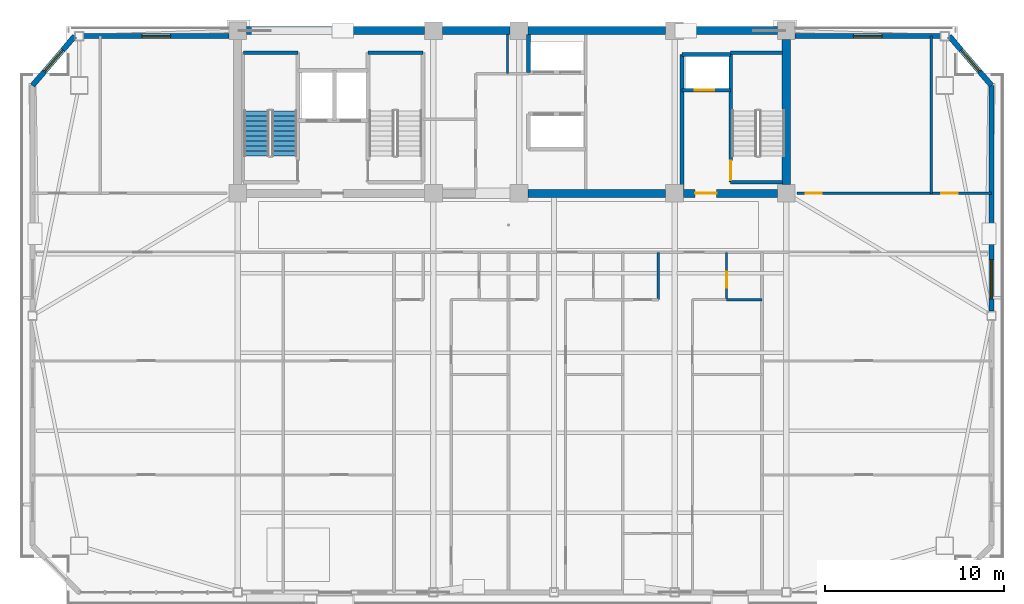
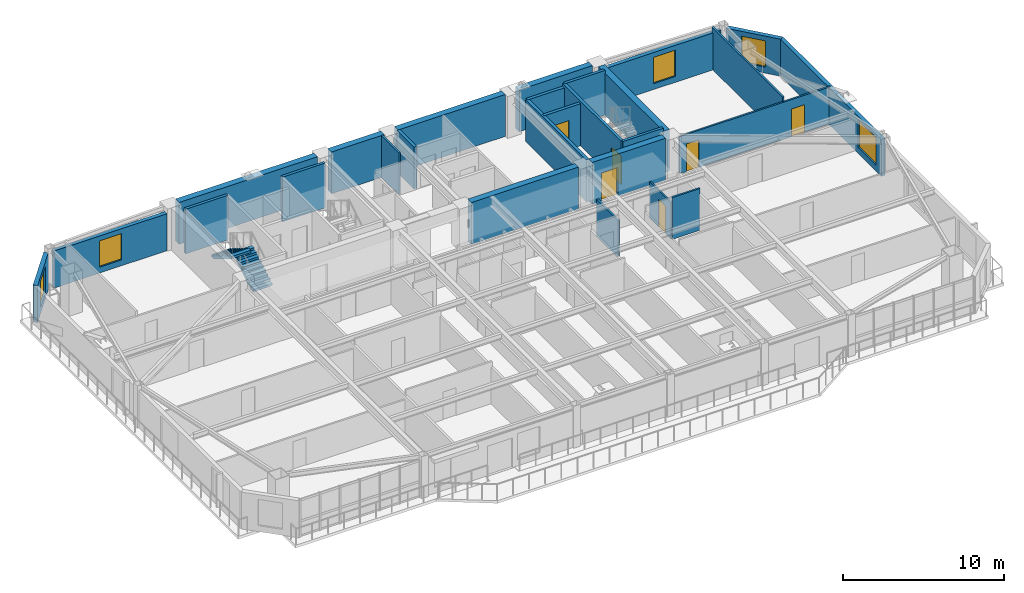
# One storey, part 11 of 17: 27 walls, 6 doors, 5 windows, 2 stair flights, 11 openings, 1 element without a shape of its own.
"""IFC4 building model written with IfcOpenShell, lengths in metres."""

from ifc_helpers import new_model, si_unit, direction, frame, frame_2d, origin, place, context, subcontext, project, spatial, polyline, rectangle, outline, extrude, source, transform, mapped, material, layer, layer_set, type_object, element, fill, aggregate, save


model = new_model("IFC4")

# Units and contexts
model_context = context("Model", 3, precision=1e-05, world=origin(), true_north=direction((0.0, 1.0)))
body_context = subcontext(model_context, "Body", "Model", "MODEL_VIEW")
ifc_project = project(units=[si_unit("LENGTHUNIT", "METRE"), si_unit("AREAUNIT", "SQUARE_METRE"), si_unit("VOLUMEUNIT", "CUBIC_METRE"), si_unit("PLANEANGLEUNIT", "RADIAN"), si_unit("MASSUNIT", "GRAM", prefix="KILO")], contexts=[model_context])

# Site, building, storey
site_placement = place(None, origin())
site = spatial("IfcSite", under=ifc_project, at=site_placement, CompositionType="ELEMENT")
building_placement = place(site_placement, origin())
building = spatial("IfcBuilding", under=site, at=building_placement, Name="Giltprow Tower", CompositionType="ELEMENT")
storey_placement = place(building_placement, frame((0.0, 0.0, 248.5)))
storey = spatial("IfcBuildingStorey", under=building, at=storey_placement, Name="L63", CompositionType="ELEMENT", Elevation=248.5)

# Wall, opening, window
ifc_material_1 = material(Name="Precast concrete C40", Category="concrete")
ifc_layer_1 = layer(ifc_material_1, 0.300048828125, Name="Precast concrete C40")
ifc_layer_set_1 = layer_set([ifc_layer_1], Name="Precast concrete C40")
wall_type_1 = type_object("IfcWallType", Name="EW-NOTCH-CHAMFER-300", PredefinedType="SOLIDWALL", material=ifc_layer_set_1)
wall_1_placement = place(storey_placement, frame((10.72900390625, 46.25, 0.0), z_axis=(0.0, 0.0, 1.0), x_axis=(-0.65001186438, -0.759924059472, 0.0)))
wall_1 = element("IfcWall", 1, at=wall_1_placement, inside=storey, type_object=wall_type_1, Name="L63 Corner Notch Wall NW", PredefinedType="SOLIDWALL", context=body_context, shape_type="SweptSolid", body=[
    extrude(rectangle(XDim=3.638427734375, YDim=0.300048828125, at=frame_2d((1.8193359375, 0.0))), origin(), (0.0, 0.0, 1.0), 2.81494140625),
])
opening_1_placement = place(wall_1_placement, frame((1.01904296875, 0.0, 0.449951171875)))
opening_1 = element("IfcOpeningElement", 2, at=opening_1_placement, cuts=wall_1, Name="Opening WN17", PredefinedType="OPENING", context=body_context, shape_type="SweptSolid", body=[
    extrude(rectangle(XDim=1.60009765625, YDim=2.0, at=frame_2d((0.800048828125, 1.0))), frame((0.0, 0.159912109375, 0.0), z_axis=(0.0, -1.0, 0.0), x_axis=(1.0, 0.0, 0.0)), (0.0, 0.0, 1.0), 0.320068359375),
])
ifc_material_2 = material(Name="Insulated glass", Category="glass")
window_type_1 = type_object("IfcWindowType", Name="WN-COR-1600x2000", PartitioningType="SINGLE_PANEL", PredefinedType="WINDOW", material=ifc_material_2)
shared_shape_1 = source(origin(), body_context, "Body", "SweptSolid", [
    extrude(rectangle(XDim=1.60009765625, YDim=2.0, at=frame_2d((0.800048828125, 1.0))), frame((0.0, 0.030029296875, 0.0), z_axis=(0.0, -1.0, 0.0), x_axis=(1.0, 0.0, 0.0)), (0.0, 0.0, 1.0), 0.06005859375),
])
window_1_placement = place(opening_1_placement, origin())
window_1 = element("IfcWindow", 3, at=window_1_placement, inside=storey, type_object=window_type_1, Name="L63 Corner Notch Window NW", OverallHeight=2.0, OverallWidth=1.60009765625, PartitioningType="SINGLE_PANEL", PredefinedType="WINDOW", context=body_context, shape_type="MappedRepresentation", body=[
    mapped(shared_shape_1, transform((0.0, 0.0, 0.0), x_axis=(1.0, 0.0, 0.0), y_axis=(0.0, 1.0, 0.0), z_axis=(0.0, 0.0, 1.0), scale=1.0)),
])
fill(opening_1, window_1)

wall_2_placement = place(storey_placement, frame((62.037109375, 43.485107421875, 0.0), z_axis=(0.0, 0.0, 1.0), x_axis=(-0.65001186438, 0.759924059472, 0.0)))
wall_2 = element("IfcWall", 4, at=wall_2_placement, inside=storey, type_object=wall_type_1, Name="L63 Corner Notch Wall NE", PredefinedType="SOLIDWALL", context=body_context, shape_type="SweptSolid", body=[
    extrude(rectangle(XDim=3.638427734375, YDim=0.300048828125, at=frame_2d((1.8193359375, 0.0))), origin(), (0.0, 0.0, 1.0), 2.81494140625),
])
opening_2_placement = place(wall_2_placement, frame((1.01904296875, 0.0, 0.449951171875)))
opening_2 = element("IfcOpeningElement", 5, at=opening_2_placement, cuts=wall_2, Name="Opening WN17", PredefinedType="OPENING", context=body_context, shape_type="SweptSolid", body=[
    extrude(rectangle(XDim=1.60009765625, YDim=2.0, at=frame_2d((0.800048828125, 1.0))), frame((0.0, 0.159912109375, 0.0), z_axis=(0.0, -1.0, 0.0), x_axis=(1.0, 0.0, 0.0)), (0.0, 0.0, 1.0), 0.320068359375),
])
window_2_placement = place(opening_2_placement, origin())
window_2 = element("IfcWindow", 6, at=window_2_placement, inside=storey, type_object=window_type_1, Name="L63 Corner Notch Window NE", OverallHeight=2.0, OverallWidth=1.60009765625, PartitioningType="SINGLE_PANEL", PredefinedType="WINDOW", context=body_context, shape_type="MappedRepresentation", body=[
    mapped(shared_shape_1, transform((0.0, 0.0, 0.0), x_axis=(1.0, 0.0, 0.0), y_axis=(0.0, 1.0, 0.0), z_axis=(0.0, 0.0, 1.0), scale=1.0)),
])
fill(opening_2, window_2)

ifc_layer_2 = layer(ifc_material_1, 0.280029296875, Name="Precast concrete C40")
ifc_layer_set_2 = layer_set([ifc_layer_2], Name="Precast concrete C40")
wall_type_2 = type_object("IfcWallType", Name="EW-TOW-BRONZE-280", PredefinedType="SOLIDWALL", material=ifc_layer_set_2)
wall_3_placement = place(storey_placement, frame((62.037109375, 30.85693359375, 0.0), z_axis=(0.0, 0.0, 1.0), x_axis=(0.0, 1.0, 0.0)))
wall_3 = element("IfcWall", 7, at=wall_3_placement, inside=storey, type_object=wall_type_2, Name="L63 E Wing Masonry Wall 2", PredefinedType="SOLIDWALL", context=body_context, shape_type="SweptSolid", body=[
    extrude(rectangle(XDim=12.628173828125, YDim=0.280029296875, at=frame_2d((6.31396484375, 0.0))), origin(), (0.0, 0.0, 1.0), 2.81494140625),
])
opening_3_placement = place(wall_3_placement, frame((0.677978515625, 0.0, 0.449951171875)))
opening_3 = element("IfcOpeningElement", 8, at=opening_3_placement, cuts=wall_3, Name="Opening WN27", PredefinedType="OPENING", context=body_context, shape_type="SweptSolid", body=[
    extrude(rectangle(XDim=2.199951171875, YDim=2.10009765625, at=frame_2d((1.10009765625, 1.050048828125))), frame((0.0, 0.14990234375, 0.0), z_axis=(0.0, -1.0, 0.0), x_axis=(1.0, 0.0, 0.0)), (0.0, 0.0, 1.0), 0.300048828125),
])
window_type_2 = type_object("IfcWindowType", Name="WN-RES-2200x2100", PartitioningType="TRIPLE_PANEL_VERTICAL", PredefinedType="WINDOW", material=ifc_material_2)
shared_shape_2 = source(origin(), body_context, "Body", "SweptSolid", [
    extrude(rectangle(XDim=2.199951171875, YDim=2.10009765625, at=frame_2d((1.10009765625, 1.050048828125))), frame((0.0, 0.030029296875, 0.0), z_axis=(0.0, -1.0, 0.0), x_axis=(1.0, 0.0, 0.0)), (0.0, 0.0, 1.0), 0.06005859375),
])
window_3_placement = place(opening_3_placement, origin())
window_3 = element("IfcWindow", 9, at=window_3_placement, inside=storey, type_object=window_type_2, Name="L63 E Wing Window 2-1", OverallHeight=2.10009765625, OverallWidth=2.199951171875, PartitioningType="SINGLE_PANEL", PredefinedType="WINDOW", context=body_context, shape_type="MappedRepresentation", body=[
    mapped(shared_shape_2, transform((0.0, 0.0, 0.0), x_axis=(1.0, 0.0, 0.0), y_axis=(0.0, 1.0, 0.0), z_axis=(0.0, 0.0, 1.0), scale=1.0)),
])
fill(opening_3, window_3)

wall_4_placement = place(storey_placement, frame((11.22900390625, 46.25, 0.0), z_axis=(0.0, 0.0, 1.0), x_axis=(1.0, 0.0, 0.0)))
wall_4 = element("IfcWall", 10, at=wall_4_placement, inside=storey, type_object=wall_type_2, Name="L63 North-West Wing Wall", PredefinedType="SOLIDWALL", context=body_context, shape_type="SweptSolid", body=[
    extrude(rectangle(XDim=8.12109375, YDim=0.280029296875, at=frame_2d((4.060546875, 0.0))), origin(), (0.0, 0.0, 1.0), 2.81494140625),
])
opening_4_placement = place(wall_4_placement, frame((3.260986328125, 0.0, 0.449951171875)))
opening_4 = element("IfcOpeningElement", 11, at=opening_4_placement, cuts=wall_4, Name="Opening WN17", PredefinedType="OPENING", context=body_context, shape_type="SweptSolid", body=[
    extrude(rectangle(XDim=1.60009765625, YDim=2.0, at=frame_2d((0.800048828125, 1.0))), frame((0.0, 0.14990234375, 0.0), z_axis=(0.0, -1.0, 0.0), x_axis=(1.0, 0.0, 0.0)), (0.0, 0.0, 1.0), 0.300048828125),
])
window_4_placement = place(opening_4_placement, origin())
window_4 = element("IfcWindow", 12, at=window_4_placement, inside=storey, type_object=window_type_1, Name="L63 North-West Window", OverallHeight=2.0, OverallWidth=1.60009765625, PartitioningType="SINGLE_PANEL", PredefinedType="WINDOW", context=body_context, shape_type="MappedRepresentation", body=[
    mapped(shared_shape_1, transform((0.0, 0.0, 0.0), x_axis=(1.0, 0.0, 0.0), y_axis=(0.0, 1.0, 0.0), z_axis=(0.0, 0.0, 1.0), scale=1.0)),
])
fill(opening_4, window_4)

wall_5_placement = place(storey_placement, frame((51.050048828125, 46.25, 0.0), z_axis=(0.0, 0.0, 1.0), x_axis=(1.0, 0.0, 0.0)))
wall_5 = element("IfcWall", 13, at=wall_5_placement, inside=storey, type_object=wall_type_2, Name="L63 North-East Wing Wall", PredefinedType="SOLIDWALL", context=body_context, shape_type="SweptSolid", body=[
    extrude(rectangle(XDim=8.1220703125, YDim=0.280029296875, at=frame_2d((4.06103515625, 0.0))), origin(), (0.0, 0.0, 1.0), 2.81494140625),
])
opening_5_placement = place(wall_5_placement, frame((3.260986328125, 0.0, 0.449951171875)))
opening_5 = element("IfcOpeningElement", 14, at=opening_5_placement, cuts=wall_5, Name="Opening WN17", PredefinedType="OPENING", context=body_context, shape_type="SweptSolid", body=[
    extrude(rectangle(XDim=1.60009765625, YDim=2.0, at=frame_2d((0.800048828125, 1.0))), frame((0.0, 0.14990234375, 0.0), z_axis=(0.0, -1.0, 0.0), x_axis=(1.0, 0.0, 0.0)), (0.0, 0.0, 1.0), 0.300048828125),
])
window_5_placement = place(opening_5_placement, origin())
window_5 = element("IfcWindow", 15, at=window_5_placement, inside=storey, type_object=window_type_1, Name="L63 North-East Window", OverallHeight=2.0, OverallWidth=1.60009765625, PartitioningType="SINGLE_PANEL", PredefinedType="WINDOW", context=body_context, shape_type="MappedRepresentation", body=[
    mapped(shared_shape_1, transform((0.0, 0.0, 0.0), x_axis=(1.0, 0.0, 0.0), y_axis=(0.0, 1.0, 0.0), z_axis=(0.0, 0.0, 1.0), scale=1.0)),
])
fill(opening_5, window_5)

# Wall, opening, door
ifc_material_3 = material(Name="Concrete C40", Category="concrete")
ifc_layer_3 = layer(ifc_material_3, 0.219970703125, Name="Concrete C40")
ifc_layer_set_3 = layer_set([ifc_layer_3], Name="Concrete C40")
wall_type_3 = type_object("IfcWallType", Name="IW-SHAFT-220", PredefinedType="SOLIDWALL", material=ifc_layer_set_3)
wall_6_placement = place(storey_placement, frame((44.719970703125, 43.219970703125, 0.0), z_axis=(0.0, 0.0, 1.0), x_axis=(1.0, 0.0, 0.0)))
wall_6 = element("IfcWall", 16, at=wall_6_placement, inside=storey, type_object=wall_type_3, Name="L63 FFL2 Front Shaft Wall", PredefinedType="SOLIDWALL", context=body_context, shape_type="SweptSolid", body=[
    extrude(rectangle(XDim=2.719970703125, YDim=0.219970703125, at=frame_2d((1.35986328125, 0.0))), origin(), (0.0, 0.0, 1.0), 3.18505859375),
])
opening_6_placement = place(wall_6_placement, frame((0.699951171875, 0.0, 0.0)))
opening_6 = element("IfcOpeningElement", 17, at=opening_6_placement, cuts=wall_6, Name="Opening LD-11", PredefinedType="OPENING", context=body_context, shape_type="SweptSolid", body=[
    extrude(rectangle(XDim=1.10009765625, YDim=2.199951171875, at=frame_2d((0.550048828125, 1.10009765625))), frame((0.0, 0.119873046875, 0.0), z_axis=(0.0, -1.0, 0.0), x_axis=(1.0, 0.0, 0.0)), (0.0, 0.0, 1.0), 0.239990234375),
])
ifc_material_4 = material(Name="Stainless steel", Category="steel")
door_type_1 = type_object("IfcDoorType", Name="DR-LIFT-LD1100", OperationType="SLIDING_TO_LEFT", PredefinedType="DOOR", material=ifc_material_4)
shared_shape_3 = source(origin(), body_context, "Body", "SweptSolid", [
    extrude(rectangle(XDim=1.10009765625, YDim=2.199951171875, at=frame_2d((0.550048828125, 1.10009765625))), frame((0.0, 0.02490234375, 0.0), z_axis=(0.0, -1.0, 0.0), x_axis=(1.0, 0.0, 0.0)), (0.0, 0.0, 1.0), 0.050048828125),
])
door_1_placement = place(opening_6_placement, origin())
door_1 = element("IfcDoor", 18, at=door_1_placement, inside=storey, type_object=door_type_1, Name="L63 FFL2 Landing Door", OperationType="SLIDING_TO_LEFT", OverallHeight=2.199951171875, OverallWidth=1.10009765625, PredefinedType="DOOR", context=body_context, shape_type="MappedRepresentation", body=[
    mapped(shared_shape_3, transform((0.0, 0.0, 0.0), x_axis=(1.0, 0.0, 0.0), y_axis=(0.0, 1.0, 0.0), z_axis=(0.0, 0.0, 1.0), scale=1.0)),
])
fill(opening_6, door_1)

# Walls
wall_7_placement = place(storey_placement, frame((44.719970703125, 45.219970703125, 0.0), z_axis=(0.0, 0.0, 1.0), x_axis=(1.0, 0.0, 0.0)))
element("IfcWall", 19, at=wall_7_placement, inside=storey, type_object=wall_type_3, Name="L63 FFL2 Back Shaft Wall", PredefinedType="SOLIDWALL", context=body_context, shape_type="SweptSolid", body=[
    extrude(rectangle(XDim=2.719970703125, YDim=0.219970703125, at=frame_2d((1.35986328125, 0.0))), origin(), (0.0, 0.0, 1.0), 3.18505859375),
])
wall_8_placement = place(storey_placement, frame((44.719970703125, 37.655029296875, 0.0), z_axis=(0.0, 0.0, 1.0), x_axis=(0.0, 1.0, 0.0)))
element("IfcWall", 20, at=wall_8_placement, inside=storey, type_object=wall_type_3, Name="L63 East Firefighting Lobby West Wall", PredefinedType="SOLIDWALL", context=body_context, shape_type="SweptSolid", body=[
    extrude(rectangle(XDim=7.56494140625, YDim=0.219970703125, at=frame_2d((3.782470703125, 0.0))), origin(), (0.0, 0.0, 1.0), 3.18505859375),
])
wall_9_placement = place(storey_placement, frame((36.1201171875, 44.219970703125, 0.0), z_axis=(0.0, 0.0, 1.0), x_axis=(0.0, 1.0, 0.0)))
element("IfcWall", 21, at=wall_9_placement, inside=storey, type_object=wall_type_3, Name="L63 High-Rise North Lift West Closure", PredefinedType="SOLIDWALL", context=body_context, shape_type="SweptSolid", body=[
    extrude(rectangle(XDim=2.125, YDim=0.219970703125, at=frame_2d((1.0625, 0.0))), origin(), (0.0, 0.0, 1.0), 3.18505859375),
])
ifc_layer_4 = layer(ifc_material_3, 0.199951171875, Name="Concrete C40")
ifc_layer_set_4 = layer_set([ifc_layer_4], Name="Concrete C40")
wall_type_4 = type_object("IfcWallType", Name="IW-STAIR-200", PredefinedType="SOLIDWALL", material=ifc_layer_set_4)
wall_10_placement = place(storey_placement, frame((20.169921875, 45.320068359375, 0.0), z_axis=(0.0, 0.0, 1.0), x_axis=(1.0, 0.0, 0.0)))
element("IfcWall", 22, at=wall_10_placement, inside=storey, type_object=wall_type_4, Name="L63 Stair ST-1 North Bearing Wall", PredefinedType="SOLIDWALL", context=body_context, shape_type="SweptSolid", body=[
    extrude(rectangle(XDim=3.050048828125, YDim=0.199951171875, at=frame_2d((1.52490234375, 0.0))), origin(), (0.0, 0.0, 1.0), 3.39990234375),
])
wall_11_placement = place(storey_placement, frame((27.139892578125, 45.320068359375, 0.0), z_axis=(0.0, 0.0, 1.0), x_axis=(1.0, 0.0, 0.0)))
element("IfcWall", 23, at=wall_11_placement, inside=storey, type_object=wall_type_4, Name="L63 Stair ST-2 North Bearing Wall", PredefinedType="SOLIDWALL", context=body_context, shape_type="SweptSolid", body=[
    extrude(rectangle(XDim=3.080078125, YDim=0.199951171875, at=frame_2d((1.5400390625, 0.0))), origin(), (0.0, 0.0, 1.0), 3.39990234375),
])

# Wall, opening, door
wall_12_placement = place(storey_placement, frame((47.43994140625, 38.070068359375, 0.0), z_axis=(0.0, 0.0, 1.0), x_axis=(0.0, 1.0, 0.0)))
wall_12 = element("IfcWall", 24, at=wall_12_placement, inside=storey, type_object=wall_type_4, Name="L63 Stair ST-3 West Bearing Wall", PredefinedType="SOLIDWALL", context=body_context, shape_type="SweptSolid", body=[
    extrude(rectangle(XDim=7.25, YDim=0.199951171875, at=frame_2d((3.625, 0.0))), origin(), (0.0, 0.0, 1.0), 3.39990234375),
])
opening_7_placement = place(wall_12_placement, frame((0.110107421875, 0.0, 0.0)))
opening_7 = element("IfcOpeningElement", 25, at=opening_7_placement, cuts=wall_12, Name="Opening ID33", PredefinedType="OPENING", context=body_context, shape_type="SweptSolid", body=[
    extrude(rectangle(XDim=1.10009765625, YDim=2.14990234375, at=frame_2d((0.550048828125, 1.074951171875))), frame((0.0, 0.10986328125, 0.0), z_axis=(0.0, -1.0, 0.0), x_axis=(1.0, 0.0, 0.0)), (0.0, 0.0, 1.0), 0.219970703125),
])
ifc_material_5 = material(Name="Steel fire leaf", Category="steel")
door_type_2 = type_object("IfcDoorType", Name="DR-STAIR-1100", OperationType="SINGLE_SWING_LEFT", PredefinedType="DOOR", material=ifc_material_5)
shared_shape_4 = source(origin(), body_context, "Body", "SweptSolid", [
    extrude(rectangle(XDim=1.10009765625, YDim=2.14990234375, at=frame_2d((0.550048828125, 1.074951171875))), frame((0.0, 0.02490234375, 0.0), z_axis=(0.0, -1.0, 0.0), x_axis=(1.0, 0.0, 0.0)), (0.0, 0.0, 1.0), 0.050048828125),
])
door_2_placement = place(opening_7_placement, origin())
door_2 = element("IfcDoor", 26, at=door_2_placement, inside=storey, type_object=door_type_2, Name="L63 Stair ST-3 Fire Door", OperationType="SINGLE_SWING_LEFT", OverallHeight=2.14990234375, OverallWidth=1.10009765625, PredefinedType="DOOR", context=body_context, shape_type="MappedRepresentation", body=[
    mapped(shared_shape_4, transform((0.0, 0.0, 0.0), x_axis=(1.0, 0.0, 0.0), y_axis=(0.0, 1.0, 0.0), z_axis=(0.0, 0.0, 1.0), scale=1.0)),
])
fill(opening_7, door_2)

# Walls
for number, where, z_axis, x_axis, name in (
    (27, (47.43994140625, 45.320068359375, 0.0), (0.0, 0.0, 1.0), (1.0, 0.0, 0.0), "L63 Stair ST-3 North Bearing Wall"),
    (28, (47.43994140625, 38.070068359375, 0.0), (0.0, 0.0, 1.0), (1.0, 0.0, 0.0), "L63 Stair ST-3 South Bearing Wall"),
):
    element("IfcWall", number, at=place(storey_placement, frame(where, z_axis=z_axis, x_axis=x_axis)), inside=storey, type_object=wall_type_4, Name=name, PredefinedType="SOLIDWALL", context=body_context, shape_type="SweptSolid", body=[
        extrude(rectangle(XDim=2.905029296875, YDim=0.199951171875, at=frame_2d((1.45263671875, 0.0))), origin(), (0.0, 0.0, 1.0), 3.39990234375),
    ])
ifc_material_6 = material(Name="Concrete C30", Category="concrete")
ifc_layer_5 = layer(ifc_material_6, 0.1298828125, Name="Concrete C30")
ifc_layer_set_5 = layer_set([ifc_layer_5], Name="Concrete C30")
wall_type_5 = type_object("IfcWallType", Name="IW-WET-130", PredefinedType="PARTITIONING", material=ifc_layer_set_5)
wall_13_placement = place(storey_placement, frame((34.949951171875, 44.14990234375, 0.0), z_axis=(0.0, 0.0, 1.0), x_axis=(0.0, 1.0, 0.0)))
element("IfcWall", 29, at=wall_13_placement, inside=storey, type_object=wall_type_5, Name="L63 Reclaimed West Pocket Wall E", PredefinedType="PARTITIONING", context=body_context, shape_type="SweptSolid", body=[
    extrude(rectangle(XDim=2.195068359375, YDim=0.1298828125, at=frame_2d((1.09765625, 0.0))), origin(), (0.0, 0.0, 1.0), 3.18505859375),
])
wall_14_placement = place(storey_placement, frame((43.389892578125, 31.5, 0.0), z_axis=(0.0, 0.0, 1.0), x_axis=(0.0, 1.0, 0.0)))
element("IfcWall", 30, at=wall_14_placement, inside=storey, type_object=wall_type_5, Name="L63 Unit 3 Kitchen East Wall", PredefinedType="PARTITIONING", context=body_context, shape_type="SweptSolid", body=[
    extrude(rectangle(XDim=2.64990234375, YDim=0.1298828125, at=frame_2d((1.324951171875, 0.0))), origin(), (0.0, 0.0, 1.0), 2.77001953125),
])
wall_15_placement = place(storey_placement, frame((47.2099609375, 31.5, 0.0), z_axis=(0.0, 0.0, 1.0), x_axis=(1.0, 0.0, 0.0)))
element("IfcWall", 31, at=wall_15_placement, inside=storey, type_object=wall_type_5, Name="L63 Unit 3 Bathroom South Wall", PredefinedType="PARTITIONING", context=body_context, shape_type="SweptSolid", body=[
    extrude(rectangle(XDim=1.989990234375, YDim=0.1298828125, at=frame_2d((0.9951171875, 0.0))), origin(), (0.0, 0.0, 1.0), 3.18505859375),
])

# Wall, opening, door
wall_16_placement = place(storey_placement, frame((47.2099609375, 31.5, 0.0), z_axis=(0.0, 0.0, 1.0), x_axis=(0.0, 1.0, 0.0)))
wall_16 = element("IfcWall", 32, at=wall_16_placement, inside=storey, type_object=wall_type_5, Name="L63 Unit 3 Bathroom West Wall", PredefinedType="PARTITIONING", context=body_context, shape_type="SweptSolid", body=[
    extrude(rectangle(XDim=2.64990234375, YDim=0.1298828125, at=frame_2d((1.324951171875, 0.0))), origin(), (0.0, 0.0, 1.0), 2.77001953125),
])
opening_8_placement = place(wall_16_placement, frame((0.669921875, 0.0, 0.0)))
opening_8 = element("IfcOpeningElement", 33, at=opening_8_placement, cuts=wall_16, Name="Opening ID15", PredefinedType="OPENING", context=body_context, shape_type="SweptSolid", body=[
    extrude(rectangle(XDim=0.89990234375, YDim=2.10009765625, at=frame_2d((0.449951171875, 1.050048828125))), frame((0.0, 0.074951171875, 0.0), z_axis=(0.0, -1.0, 0.0), x_axis=(1.0, 0.0, 0.0)), (0.0, 0.0, 1.0), 0.14990234375),
])
ifc_material_7 = material(Name="Engineered timber", Category="wood")
door_type_3 = type_object("IfcDoorType", Name="DR-WC-900", OperationType="SINGLE_SWING_LEFT", PredefinedType="DOOR", material=ifc_material_7)
shared_shape_5 = source(origin(), body_context, "Body", "SweptSolid", [
    extrude(rectangle(XDim=0.89990234375, YDim=2.10009765625, at=frame_2d((0.449951171875, 1.050048828125))), frame((0.0, 0.02490234375, 0.0), z_axis=(0.0, -1.0, 0.0), x_axis=(1.0, 0.0, 0.0)), (0.0, 0.0, 1.0), 0.050048828125),
])
door_3_placement = place(opening_8_placement, origin())
door_3 = element("IfcDoor", 34, at=door_3_placement, inside=storey, type_object=door_type_3, Name="L63 Unit 3 Bathroom Door", OperationType="SINGLE_SWING_LEFT", OverallHeight=2.10009765625, OverallWidth=0.89990234375, PredefinedType="DOOR", context=body_context, shape_type="MappedRepresentation", body=[
    mapped(shared_shape_5, transform((0.0, 0.0, 0.0), x_axis=(1.0, 0.0, 0.0), y_axis=(0.0, 1.0, 0.0), z_axis=(0.0, 0.0, 1.0), scale=1.0)),
])
fill(opening_8, door_3)

# Wall, openings, doors
wall_17_placement = place(storey_placement, frame((51.14990234375, 37.449951171875, 0.0), z_axis=(0.0, 0.0, 1.0), x_axis=(1.0, 0.0, 0.0)))
wall_17 = element("IfcWall", 35, at=wall_17_placement, inside=storey, type_object=wall_type_5, Name="L63 NE Wing South Wall", PredefinedType="PARTITIONING", context=body_context, shape_type="SweptSolid", body=[
    extrude(rectangle(XDim=10.88720703125, YDim=0.1298828125, at=frame_2d((5.443603515625, 0.0))), origin(), (0.0, 0.0, 1.0), 2.820068359375),
])
opening_9_placement = place(wall_17_placement, frame((0.5, 0.0, 0.0)))
opening_9 = element("IfcOpeningElement", 36, at=opening_9_placement, cuts=wall_17, Name="Opening ID15", PredefinedType="OPENING", context=body_context, shape_type="SweptSolid", body=[
    extrude(rectangle(XDim=0.89990234375, YDim=2.10009765625, at=frame_2d((0.449951171875, 1.050048828125))), frame((0.0, 0.074951171875, 0.0), z_axis=(0.0, -1.0, 0.0), x_axis=(1.0, 0.0, 0.0)), (0.0, 0.0, 1.0), 0.14990234375),
])
opening_10_placement = place(wall_17_placement, frame((8.06103515625, 0.0, 0.0)))
opening_10 = element("IfcOpeningElement", 37, at=opening_10_placement, cuts=wall_17, Name="Opening ID11", PredefinedType="OPENING", context=body_context, shape_type="SweptSolid", body=[
    extrude(rectangle(XDim=0.949951171875, YDim=2.10009765625, at=frame_2d((0.47509765625, 1.050048828125))), frame((0.0, 0.074951171875, 0.0), z_axis=(0.0, -1.0, 0.0), x_axis=(1.0, 0.0, 0.0)), (0.0, 0.0, 1.0), 0.14990234375),
])
door_4_placement = place(opening_9_placement, origin())
door_4 = element("IfcDoor", 38, at=door_4_placement, inside=storey, type_object=door_type_3, Name="L63 East Wing Washroom Door", OperationType="SINGLE_SWING_RIGHT", OverallHeight=2.10009765625, OverallWidth=0.89990234375, PredefinedType="DOOR", context=body_context, shape_type="MappedRepresentation", body=[
    mapped(shared_shape_5, transform((0.0, 0.0, 0.0), x_axis=(1.0, 0.0, 0.0), y_axis=(0.0, 1.0, 0.0), z_axis=(0.0, 0.0, 1.0), scale=1.0)),
])
fill(opening_9, door_4)
door_type_4 = type_object("IfcDoorType", Name="DR-ROOM-950", OperationType="SINGLE_SWING_RIGHT", PredefinedType="DOOR", material=ifc_material_7)
shared_shape_6 = source(origin(), body_context, "Body", "SweptSolid", [
    extrude(rectangle(XDim=0.949951171875, YDim=2.10009765625, at=frame_2d((0.47509765625, 1.050048828125))), frame((0.0, 0.02490234375, 0.0), z_axis=(0.0, -1.0, 0.0), x_axis=(1.0, 0.0, 0.0)), (0.0, 0.0, 1.0), 0.050048828125),
])
door_5_placement = place(opening_10_placement, origin())
door_5 = element("IfcDoor", 39, at=door_5_placement, inside=storey, type_object=door_type_4, Name="L63 Residents Reading Lounge Door", OperationType="SINGLE_SWING_LEFT", OverallHeight=2.10009765625, OverallWidth=0.949951171875, PredefinedType="DOOR", context=body_context, shape_type="MappedRepresentation", body=[
    mapped(shared_shape_6, transform((0.0, 0.0, 0.0), x_axis=(1.0, 0.0, 0.0), y_axis=(0.0, 1.0, 0.0), z_axis=(0.0, 0.0, 1.0), scale=1.0)),
])
fill(opening_10, door_5)

# Walls
wall_18_placement = place(storey_placement, frame((58.660888671875, 37.449951171875, 0.0), z_axis=(0.0, 0.0, 1.0), x_axis=(0.0, 1.0, 0.0)))
element("IfcWall", 40, at=wall_18_placement, inside=storey, type_object=wall_type_5, Name="L63 NE Wing Divider", PredefinedType="PARTITIONING", context=body_context, shape_type="SweptSolid", body=[
    extrude(rectangle(XDim=8.800048828125, YDim=0.1298828125, at=frame_2d((4.39990234375, 0.0))), origin(), (0.0, 0.0, 1.0), 3.18505859375),
])
ifc_material_8 = material(Name="Concrete C50", Category="concrete")
ifc_layer_6 = layer(ifc_material_8, 0.449951171875, Name="Concrete C50")
ifc_layer_set_6 = layer_set([ifc_layer_6], Name="Concrete C50")
wall_type_6 = type_object("IfcWallType", Name="SW-EXT-450-C50", PredefinedType="SHEAR", material=ifc_layer_set_6)
wall_19_placement = place(storey_placement, frame((20.35009765625, 46.550048828125, 0.0), z_axis=(0.0, 0.0, 1.0), x_axis=(1.0, 0.0, 0.0)))
element("IfcWall", 41, at=wall_19_placement, inside=storey, type_object=wall_type_6, Name="L63 North Rear Core Shear Wall 1", PredefinedType="SHEAR", context=body_context, shape_type="SweptSolid", body=[
    extrude(rectangle(XDim=9.949951171875, YDim=0.449951171875, at=frame_2d((4.97509765625, 0.0))), origin(), (0.0, 0.0, 1.0), 3.18505859375),
])
wall_20_placement = place(storey_placement, frame((31.300048828125, 46.550048828125, 0.0), z_axis=(0.0, 0.0, 1.0), x_axis=(1.0, 0.0, 0.0)))
element("IfcWall", 42, at=wall_20_placement, inside=storey, type_object=wall_type_6, Name="L63 North Rear Core Shear Wall 2", PredefinedType="SHEAR", context=body_context, shape_type="SweptSolid", body=[
    extrude(rectangle(XDim=3.800048828125, YDim=0.449951171875, at=frame_2d((1.89990234375, 0.0))), origin(), (0.0, 0.0, 1.0), 3.18505859375),
])
wall_21_placement = place(storey_placement, frame((36.10009765625, 46.550048828125, 0.0), z_axis=(0.0, 0.0, 1.0), x_axis=(1.0, 0.0, 0.0)))
element("IfcWall", 43, at=wall_21_placement, inside=storey, type_object=wall_type_6, Name="L63 North Rear Core Shear Wall 3", PredefinedType="SHEAR", context=body_context, shape_type="SweptSolid", body=[
    extrude(rectangle(XDim=7.699951171875, YDim=0.449951171875, at=frame_2d((3.85009765625, 0.0))), origin(), (0.0, 0.0, 1.0), 3.18505859375),
])
wall_22_placement = place(storey_placement, frame((44.800048828125, 46.550048828125, 0.0), z_axis=(0.0, 0.0, 1.0), x_axis=(1.0, 0.0, 0.0)))
element("IfcWall", 44, at=wall_22_placement, inside=storey, type_object=wall_type_6, Name="L63 North Rear Core Shear Wall 4", PredefinedType="SHEAR", context=body_context, shape_type="SweptSolid", body=[
    extrude(rectangle(XDim=5.25, YDim=0.449951171875, at=frame_2d((2.625, 0.0))), origin(), (0.0, 0.0, 1.0), 3.18505859375),
])
ifc_layer_7 = layer(ifc_material_8, 0.449951171875, Name="Concrete C50")
ifc_layer_set_7 = layer_set([ifc_layer_7], Name="Concrete C50")
wall_type_7 = type_object("IfcWallType", Name="SW-INT-450-C50", PredefinedType="SHEAR", material=ifc_layer_set_7)
wall_23_placement = place(storey_placement, frame((36.10009765625, 37.449951171875, 0.0), z_axis=(0.0, 0.0, 1.0), x_axis=(1.0, 0.0, 0.0)))
element("IfcWall", 45, at=wall_23_placement, inside=storey, type_object=wall_type_7, Name="L63 South Rear Core Shear Wall Mid-East", PredefinedType="SHEAR", context=body_context, shape_type="SweptSolid", body=[
    extrude(rectangle(XDim=7.699951171875, YDim=0.449951171875, at=frame_2d((3.85009765625, 0.0))), origin(), (0.0, 0.0, 1.0), 3.18505859375),
])

# Wall, opening, door
wall_24_placement = place(storey_placement, frame((44.800048828125, 37.449951171875, 0.0), z_axis=(0.0, 0.0, 1.0), x_axis=(1.0, 0.0, 0.0)))
wall_24 = element("IfcWall", 46, at=wall_24_placement, inside=storey, type_object=wall_type_7, Name="L63 South Rear Core Shear Wall East", PredefinedType="SHEAR", context=body_context, shape_type="SweptSolid", body=[
    extrude(rectangle(XDim=5.25, YDim=0.449951171875, at=frame_2d((2.625, 0.0))), origin(), (0.0, 0.0, 1.0), 3.18505859375),
])
opening_11_placement = place(wall_24_placement, frame((0.64990234375, 0.0, 0.0)))
opening_11 = element("IfcOpeningElement", 47, at=opening_11_placement, cuts=wall_24, Name="Opening ID19", PredefinedType="OPENING", context=body_context, shape_type="SweptSolid", body=[
    extrude(rectangle(XDim=1.199951171875, YDim=2.14990234375, at=frame_2d((0.60009765625, 1.074951171875))), frame((0.0, 0.23486328125, 0.0), z_axis=(0.0, -1.0, 0.0), x_axis=(1.0, 0.0, 0.0)), (0.0, 0.0, 1.0), 0.469970703125),
])
door_type_5 = type_object("IfcDoorType", Name="DR-FFLOBBY-1200", OperationType="SINGLE_SWING_RIGHT", PredefinedType="DOOR", material=ifc_material_5)
shared_shape_7 = source(origin(), body_context, "Body", "SweptSolid", [
    extrude(rectangle(XDim=1.199951171875, YDim=2.14990234375, at=frame_2d((0.60009765625, 1.074951171875))), frame((0.0, 0.02490234375, 0.0), z_axis=(0.0, -1.0, 0.0), x_axis=(1.0, 0.0, 0.0)), (0.0, 0.0, 1.0), 0.050048828125),
])
door_6_placement = place(opening_11_placement, origin())
door_6 = element("IfcDoor", 48, at=door_6_placement, inside=storey, type_object=door_type_5, Name="L63 East Firefighting Lobby Entry Door", OperationType="SINGLE_SWING_RIGHT", OverallHeight=2.14990234375, OverallWidth=1.199951171875, PredefinedType="DOOR", context=body_context, shape_type="MappedRepresentation", body=[
    mapped(shared_shape_7, transform((0.0, 0.0, 0.0), x_axis=(1.0, 0.0, 0.0), y_axis=(0.0, 1.0, 0.0), z_axis=(0.0, 0.0, 1.0), scale=1.0)),
])
fill(opening_11, door_6)

# Wall
wall_25_placement = place(storey_placement, frame((50.550048828125, 37.949951171875, 0.0), z_axis=(0.0, 0.0, 1.0), x_axis=(0.0, 1.0, 0.0)))
element("IfcWall", 49, at=wall_25_placement, inside=storey, type_object=wall_type_7, Name="L63 E Rear Core Shear Wall", PredefinedType="SHEAR", context=body_context, shape_type="SweptSolid", body=[
    extrude(rectangle(XDim=8.10009765625, YDim=0.449951171875, at=frame_2d((4.050048828125, 0.0))), origin(), (0.0, 0.0, 1.0), 3.18505859375),
])

# Stair, stair flights
stair_type = type_object("IfcStairType", Name="STR-ST-1", PredefinedType="HALF_TURN_STAIR", material=ifc_material_3)
stair_placement = place(storey_placement, origin())
stair = element("IfcStair", 50, at=stair_placement, inside=storey, type_object=stair_type, Name="L63 Core Exit Stair ST-1", PredefinedType="HALF_TURN_STAIR")
stair_flight_type = type_object("IfcStairFlightType", Name="SFL-ST-1", PredefinedType="STRAIGHT", material=ifc_material_3)
stair_flight_1_placement = place(storey_placement, frame((22.4599609375, 39.550048828125, 0.0), z_axis=(0.0, 0.0, 1.0), x_axis=(0.0, 1.0, 0.0)))
stair_flight_1 = element("IfcStairFlight", 51, at=stair_flight_1_placement, type_object=stair_flight_type, Name="ST-1 flight 1", NumberOfRisers=10, NumberOfTreads=9, PredefinedType="STRAIGHT", RiserHeight=0.17, TreadLength=0.28, context=body_context, shape_type="SweptSolid", body=[
    extrude(outline(polyline([(0.0, 0.0), (0.0, 0.169921875), (0.280029296875, 0.169921875), (0.280029296875, 0.340087890625), (0.56005859375, 0.340087890625), (0.56005859375, 0.510009765625), (0.840087890625, 0.510009765625), (0.840087890625, 0.679931640625), (1.1201171875, 0.679931640625), (1.1201171875, 0.85009765625), (1.39990234375, 0.85009765625), (1.39990234375, 1.02001953125), (1.679931640625, 1.02001953125), (1.679931640625, 1.18994140625), (1.9599609375, 1.18994140625), (1.9599609375, 1.360107421875), (2.239990234375, 1.360107421875), (2.239990234375, 1.530029296875), (2.52001953125, 1.530029296875), (2.52001953125, 1.699951171875), (2.52001953125, 1.354736328125), (0.288818359375, 0.0), (0.0, 0.0)])), frame((0.0, 0.699951171875, 0.0), z_axis=(0.0, -1.0, 0.0), x_axis=(1.0, 0.0, 0.0)), (0.0, 0.0, 1.0), 1.39990234375),
])
stair_flight_2_placement = place(storey_placement, frame((20.89990234375, 42.070068359375, 1.699951171875), z_axis=(0.0, 0.0, 1.0), x_axis=(0.0, -1.0, 0.0)))
stair_flight_2 = element("IfcStairFlight", 52, at=stair_flight_2_placement, type_object=stair_flight_type, Name="ST-1 flight 2", NumberOfRisers=10, NumberOfTreads=9, PredefinedType="STRAIGHT", RiserHeight=0.17, TreadLength=0.28, context=body_context, shape_type="SweptSolid", body=[
    extrude(outline(polyline([(0.0, 0.0), (0.0, 0.169921875), (0.280029296875, 0.169921875), (0.280029296875, 0.340087890625), (0.56005859375, 0.340087890625), (0.56005859375, 0.510009765625), (0.840087890625, 0.510009765625), (0.840087890625, 0.679931640625), (1.1201171875, 0.679931640625), (1.1201171875, 0.85009765625), (1.39990234375, 0.85009765625), (1.39990234375, 1.02001953125), (1.679931640625, 1.02001953125), (1.679931640625, 1.18994140625), (1.9599609375, 1.18994140625), (1.9599609375, 1.360107421875), (2.239990234375, 1.360107421875), (2.239990234375, 1.530029296875), (2.52001953125, 1.530029296875), (2.52001953125, 1.699951171875), (2.52001953125, 1.354736328125), (0.288818359375, 0.0), (0.0, 0.0)])), frame((0.0, 0.699951171875, 0.0), z_axis=(0.0, -1.0, 0.0), x_axis=(1.0, 0.0, 0.0)), (0.0, 0.0, 1.0), 1.39990234375),
])
aggregate(stair, [stair_flight_1, stair_flight_2])

save(model, "model.ifc")
